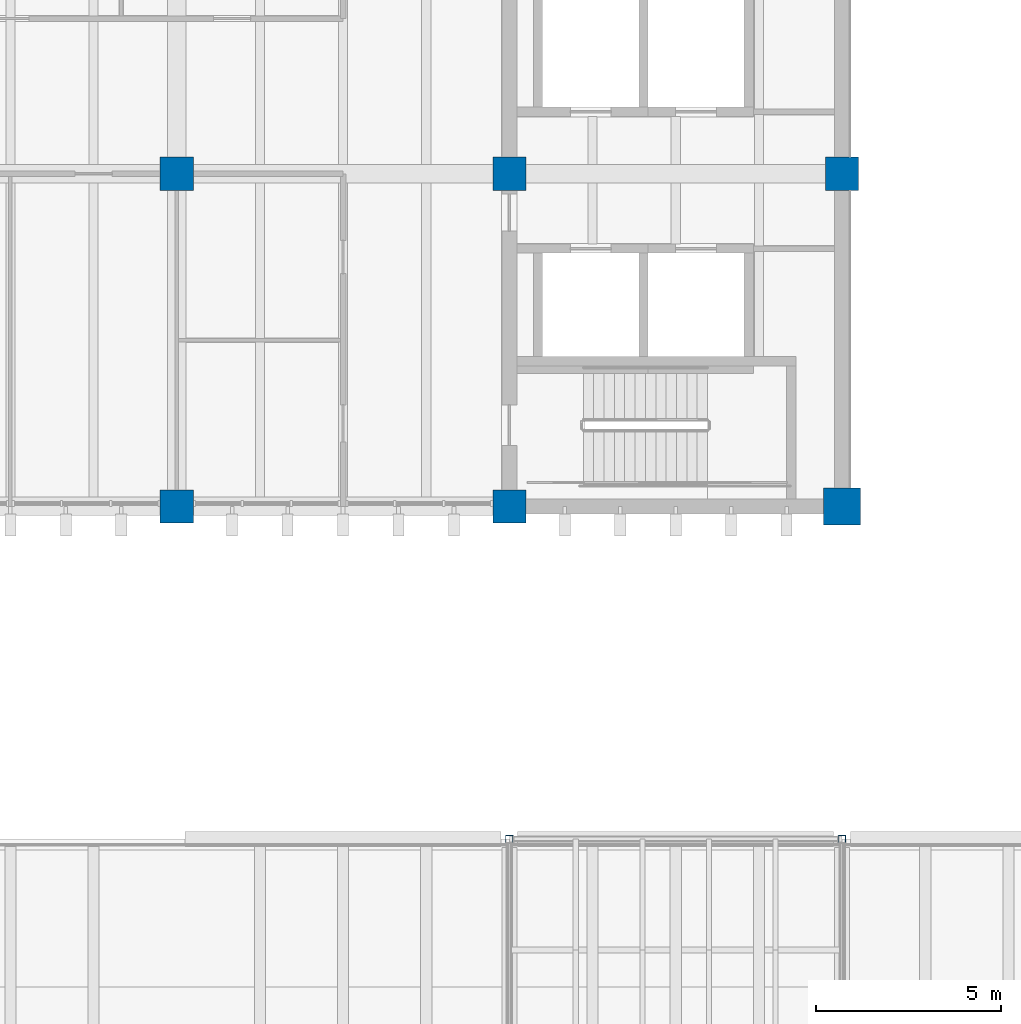
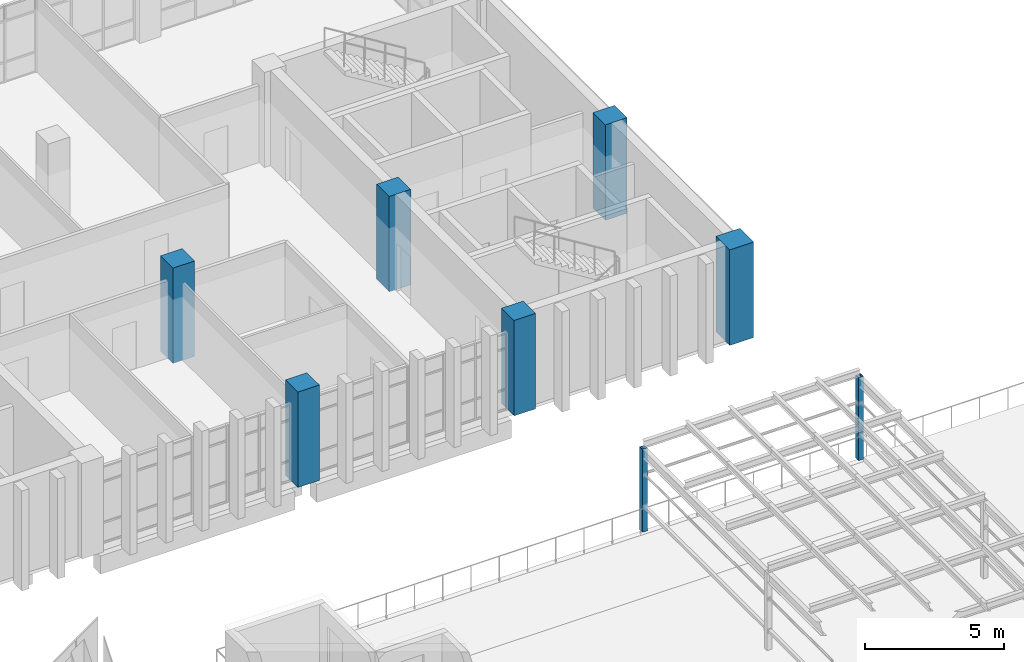
# One storey, part 4 of 74: 8 columns.
"""IFC4 building model written with IfcOpenShell, lengths in metres."""

from ifc_helpers import new_model, si_unit, direction, frame, origin, origin_2d, place, context, subcontext, project, spatial, rectangle, hollow_rectangle, extrude, material, material_profile, profile_set, type_object, element, save


model = new_model("IFC4")

# Units and contexts
model_context = context("Model", 3, precision=1e-05, world=origin(), true_north=direction((0.0, 1.0)))
body_context = subcontext(model_context, "Body", "Model", "MODEL_VIEW")
ifc_project = project(units=[si_unit("LENGTHUNIT", "METRE"), si_unit("AREAUNIT", "SQUARE_METRE"), si_unit("VOLUMEUNIT", "CUBIC_METRE"), si_unit("PLANEANGLEUNIT", "RADIAN"), si_unit("MASSUNIT", "GRAM", prefix="KILO")], contexts=[model_context])

# Site, building, storey
site_placement = place(None, origin())
site = spatial("IfcSite", under=ifc_project, at=site_placement, CompositionType="ELEMENT")
building_placement = place(site_placement, origin())
building = spatial("IfcBuilding", under=site, at=building_placement, Name="Merrow Basin Faculty of Sciences", CompositionType="ELEMENT")
storey_placement = place(building_placement, frame((0.0, 0.0, 13.5)))
storey = spatial("IfcBuildingStorey", under=building, at=storey_placement, Name="L03", CompositionType="ELEMENT", Elevation=13.5)

# Columns
ifc_material_1 = material(Name="Concrete C50/60", Category="concrete")
ifc_material_profile_1 = material_profile(ifc_material_1, rectangle(XDim=1.0, YDim=1.0, at=origin_2d()))
ifc_profile_set_1 = profile_set([ifc_material_profile_1], Name="Concrete C50/60")
column_type_1 = type_object("IfcColumnType", Name="Column RC1000x1000 C50/60", PredefinedType="COLUMN", material=ifc_profile_set_1)
column_placement = place(storey_placement, frame((54.0, 142.0, 0.0), z_axis=(0.0, 0.0, 1.0), x_axis=(1.0, 0.0, 0.0)))
element("IfcColumn", 1, at=column_placement, inside=storey, type_object=column_type_1, Name="Column G13 L03", PredefinedType="COLUMN", context=body_context, shape_type="SweptSolid", body=[
    extrude(rectangle(XDim=1.0, YDim=1.0, at=origin_2d()), origin(), (0.0, 0.0, 1.0), 4.199951171875),
])
ifc_material_2 = material(Name="Concrete C50/60", Category="concrete")
ifc_material_profile_2 = material_profile(ifc_material_2, rectangle(XDim=0.89990234375, YDim=0.89990234375, at=origin_2d()))
ifc_profile_set_2 = profile_set([ifc_material_profile_2], Name="Concrete C50/60")
column_type_2 = type_object("IfcColumnType", Name="Column RC900x900 C50/60", PredefinedType="COLUMN", material=ifc_profile_set_2)
for number, where, z_axis, x_axis, name in (
    (2, (36.0, 142.0, 0.0), (0.0, 0.0, 1.0), (1.0, 0.0, 0.0), "Column E13 L03"),
    (3, (36.0, 151.0, 0.0), (0.0, 0.0, 1.0), (1.0, 0.0, 0.0), "Column E14 L03"),
    (4, (45.0, 142.0, 0.0), (0.0, 0.0, 1.0), (1.0, 0.0, 0.0), "Column F13 L03"),
    (5, (45.0, 151.0, 0.0), (0.0, 0.0, 1.0), (1.0, 0.0, 0.0), "Column F14 L03"),
    (6, (54.0, 151.0, 0.0), (0.0, 0.0, 1.0), (1.0, 0.0, 0.0), "Column G14 L03"),
):
    element("IfcColumn", number, at=place(storey_placement, frame(where, z_axis=z_axis, x_axis=x_axis)), inside=storey, type_object=column_type_2, Name=name, PredefinedType="COLUMN", context=body_context, shape_type="SweptSolid", body=[
        extrude(rectangle(XDim=0.89990234375, YDim=0.89990234375, at=origin_2d()), origin(), (0.0, 0.0, 1.0), 4.199951171875),
    ])
ifc_material_3 = material(Name="Steel ASTM A500 Gr C", Category="steel")
ifc_material_profile_3 = material_profile(ifc_material_3, hollow_rectangle(XDim=0.202880859375, YDim=0.202880859375, WallThickness=0.009521484375, at=origin_2d()))
ifc_profile_set_3 = profile_set([ifc_material_profile_3], Name="Steel ASTM A500 Gr C")
column_type_3 = type_object("IfcColumnType", Name="Terrace trellis column HSS203x203x9.5", PredefinedType="COLUMN", material=ifc_profile_set_3)
for number, where, z_axis, x_axis, name in (
    (7, (45.0, 133.0, 0.0), (0.0, 0.0, 1.0), (1.0, 0.0, 0.0), "Terrace trellis column L03"),
    (8, (54.0, 133.0, 0.0), (0.0, 0.0, 1.0), (1.0, 0.0, 0.0), "Terrace trellis column L03"),
):
    element("IfcColumn", number, at=place(storey_placement, frame(where, z_axis=z_axis, x_axis=x_axis)), inside=storey, type_object=column_type_3, Name=name, PredefinedType="COLUMN", context=body_context, shape_type="SweptSolid", body=[
        extrude(hollow_rectangle(XDim=0.202880859375, YDim=0.202880859375, WallThickness=0.009521484375, at=origin_2d()), origin(), (0.0, 0.0, 1.0), 3.64990234375),
    ])

save(model, "model.ifc")
